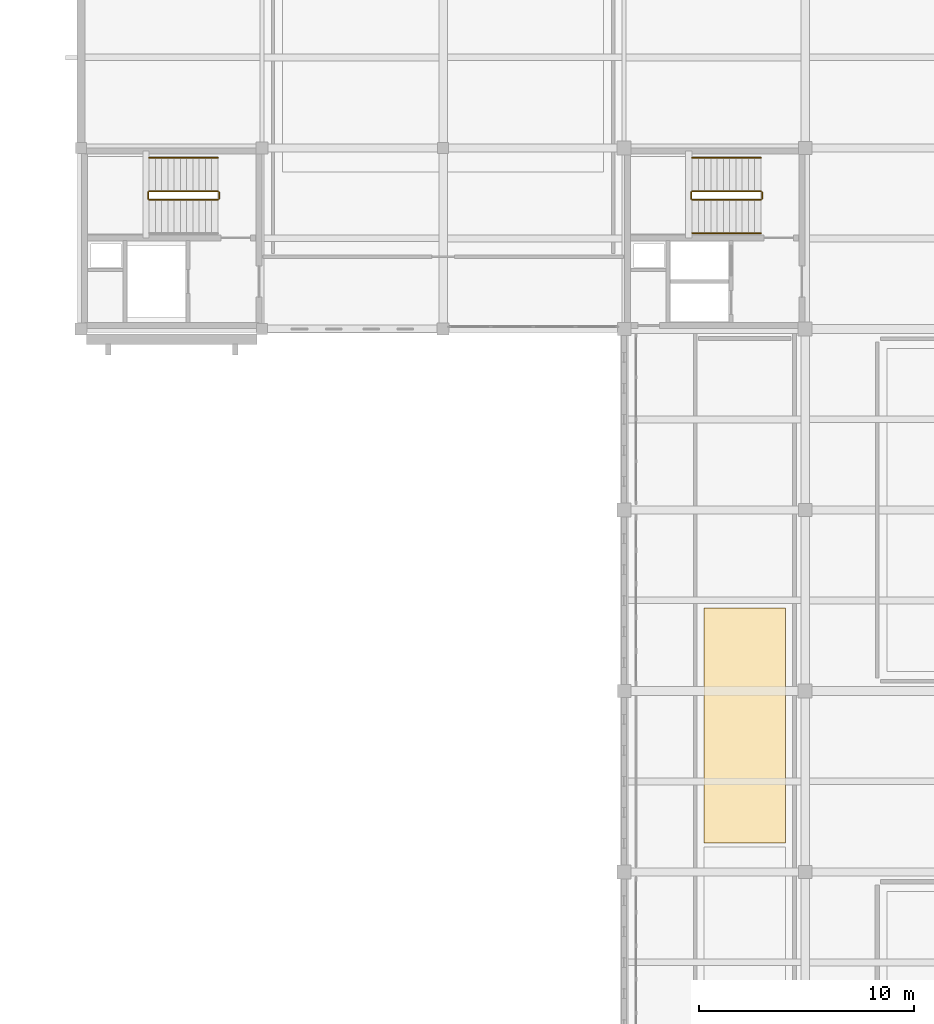
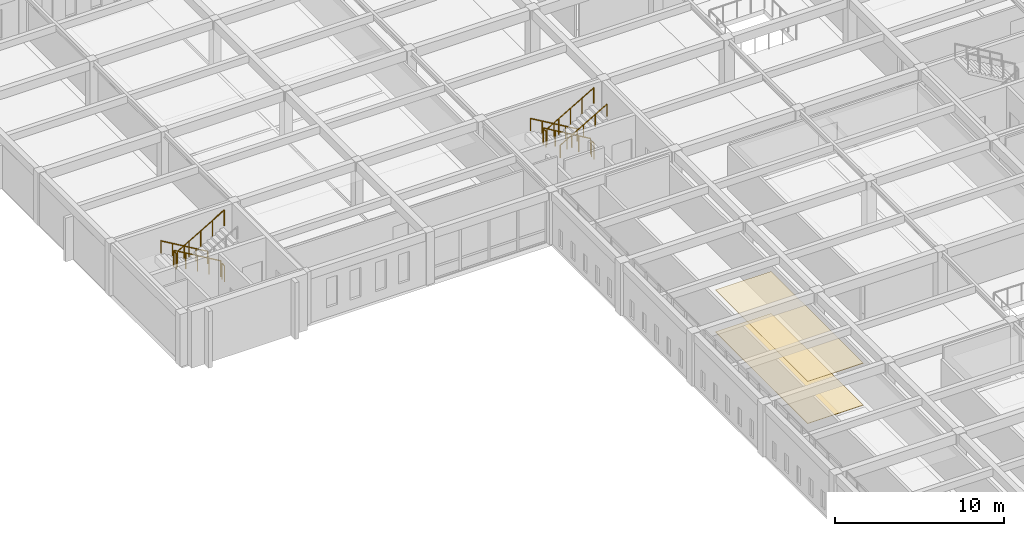
# One storey, part 45 of 47: 11 railings, 2 coverings.
"""IFC4 building model written with IfcOpenShell, lengths in metres."""

from ifc_helpers import new_model, si_unit, direction, frame, origin, origin_2d, place, context, subcontext, project, spatial, rectangle, circle, extrude, material, layer, layer_set, type_object, element, save


model = new_model("IFC4")

# Units and contexts
model_context = context("Model", 3, precision=1e-05, world=origin(), true_north=direction((0.0, 1.0)))
body_context = subcontext(model_context, "Body", "Model", "MODEL_VIEW")
ifc_project = project(units=[si_unit("LENGTHUNIT", "METRE"), si_unit("AREAUNIT", "SQUARE_METRE"), si_unit("VOLUMEUNIT", "CUBIC_METRE"), si_unit("PLANEANGLEUNIT", "RADIAN"), si_unit("MASSUNIT", "GRAM", prefix="KILO")], contexts=[model_context])

# Site, building, storey
site_placement = place(None, origin())
site = spatial("IfcSite", under=ifc_project, at=site_placement, CompositionType="ELEMENT")
building_placement = place(site_placement, origin())
building = spatial("IfcBuilding", under=site, at=building_placement, Name="Kveldsbrygga Polytechnic", CompositionType="ELEMENT")
storey_placement = place(building_placement, frame((0.0, 0.0, 13.93994140625)))
storey = spatial("IfcBuildingStorey", under=building, at=storey_placement, Name="L03", CompositionType="ELEMENT", Elevation=13.93994140625)

# Coverings
ifc_material_1 = material(Name="Acoustic mineral baffle ceiling")
ifc_layer_1 = layer(ifc_material_1, 0.030029296875)
ifc_layer_set_1 = layer_set([ifc_layer_1], Name="Acoustic mineral baffle ceiling")
covering_type_1 = type_object("IfcCoveringType", Name="COV-CEIL-AC30", PredefinedType="CEILING", material=ifc_layer_set_1)
covering_1_placement = place(storey_placement, frame((131.60009765625, 65.60009765625, 3.02001953125), z_axis=(0.0, 0.0, 1.0), x_axis=(1.0, 0.0, 0.0)))
element("IfcCovering", 1, at=covering_1_placement, inside=storey, type_object=covering_type_1, Name="Acoustic Ceiling SP-L03-COM1-N", PredefinedType="CEILING", context=body_context, shape_type="SweptSolid", body=[
    extrude(rectangle(XDim=3.800048828125, YDim=10.89990234375, at=origin_2d()), origin(), (0.0, 0.0, 1.0), 0.030029296875),
])
ifc_material_2 = material(Name="Acoustic oak timber flooring", Category="wood")
ifc_layer_2 = layer(ifc_material_2, 0.02197265625)
ifc_layer_set_2 = layer_set([ifc_layer_2], Name="Acoustic oak timber flooring")
covering_type_2 = type_object("IfcCoveringType", Name="COV-FLR-OAK22", PredefinedType="FLOORING", material=ifc_layer_set_2)
covering_2_placement = place(storey_placement, frame((131.60009765625, 65.60009765625, 0.0), z_axis=(0.0, 0.0, 1.0), x_axis=(1.0, 0.0, 0.0)))
element("IfcCovering", 2, at=covering_2_placement, inside=storey, type_object=covering_type_2, Name="Room Flooring SP-L03-COM1-N", PredefinedType="FLOORING", context=body_context, shape_type="SweptSolid", body=[
    extrude(rectangle(XDim=3.800048828125, YDim=10.89990234375, at=origin_2d()), origin(), (0.0, 0.0, 1.0), 0.02197265625),
])

# Railings
ifc_material_3 = material(Name="Steel S355", Category="steel")
railing_type_1 = type_object("IfcRailingType", Name="RL-STAIR-GRD", PredefinedType="GUARDRAIL", material=ifc_material_3)
railing_1_placement = place(storey_placement, frame((132.35009765625, 90.39990234375, 0.170166015625)))
element("IfcRailing", 3, at=railing_1_placement, inside=storey, type_object=railing_type_1, Name="L03 ST-2 stair guard 1", PredefinedType="GUARDRAIL", context=body_context, shape_type="SweptSolid", body=[
    extrude(circle(Radius=0.02392578125, at=origin_2d()), frame((0.0, 0.0, 1.1259765625), z_axis=(-0.862725780356, 0.0, 0.505672055693), x_axis=(0.0, -1.0, 0.0)), (0.0, 0.0, 1.0), 3.69775390625),
    extrude(circle(Radius=0.02099609375, at=origin_2d()), origin(), (0.0, 0.0, 1.0), 1.097900390625),
    extrude(circle(Radius=0.02099609375, at=origin_2d()), frame((-0.797607421875, 0.0, 0.467529296875)), (0.0, 0.0, 1.0), 1.097900390625),
    extrude(circle(Radius=0.02099609375, at=origin_2d()), frame((-1.59521484375, 0.0, 0.93505859375)), (0.0, 0.0, 1.0), 1.097900390625),
    extrude(circle(Radius=0.02099609375, at=origin_2d()), frame((-2.392578125, 0.0, 1.40234375)), (0.0, 0.0, 1.0), 1.097900390625),
    extrude(circle(Radius=0.02099609375, at=origin_2d()), frame((-3.190185546875, 0.0, 1.869873046875)), (0.0, 0.0, 1.0), 1.097900390625),
])
railing_2_placement = place(storey_placement, frame((129.110107421875, 90.35009765625, 2.0400390625)))
element("IfcRailing", 4, at=railing_2_placement, inside=storey, type_object=railing_type_1, Name="L03 ST-2 stair guard 2", PredefinedType="GUARDRAIL", context=body_context, shape_type="SweptSolid", body=[
    extrude(circle(Radius=0.02392578125, at=origin_2d()), frame((0.0, 0.0, 1.1259765625), z_axis=(0.0, -1.0, 0.0), x_axis=(1.0, 0.0, 0.0)), (0.0, 0.0, 1.0), 0.300048828125),
    extrude(circle(Radius=0.02099609375, at=origin_2d()), origin(), (0.0, 0.0, 1.0), 1.097900390625),
    extrude(circle(Radius=0.02099609375, at=origin_2d()), frame((0.0, -0.300048828125, 0.0)), (0.0, 0.0, 1.0), 1.097900390625),
])
railing_3_placement = place(storey_placement, frame((129.159912109375, 90.0, 2.2099609375)))
element("IfcRailing", 5, at=railing_3_placement, inside=storey, type_object=railing_type_1, Name="L03 ST-2 stair guard 3", PredefinedType="GUARDRAIL", context=body_context, shape_type="SweptSolid", body=[
    extrude(circle(Radius=0.02392578125, at=origin_2d()), frame((0.0, 0.0, 1.1259765625), z_axis=(0.862696976859, 0.0, 0.505721194057), x_axis=(0.0, 1.0, 0.0)), (0.0, 0.0, 1.0), 3.697998046875),
    extrude(circle(Radius=0.02099609375, at=origin_2d()), origin(), (0.0, 0.0, 1.0), 1.097900390625),
    extrude(circle(Radius=0.02099609375, at=origin_2d()), frame((0.797607421875, 0.0, 0.467529296875)), (0.0, 0.0, 1.0), 1.097900390625),
    extrude(circle(Radius=0.02099609375, at=origin_2d()), frame((1.59521484375, 0.0, 0.93505859375)), (0.0, 0.0, 1.0), 1.097900390625),
    extrude(circle(Radius=0.02099609375, at=origin_2d()), frame((2.392578125, 0.0, 1.402587890625)), (0.0, 0.0, 1.0), 1.097900390625),
    extrude(circle(Radius=0.02099609375, at=origin_2d()), frame((3.190185546875, 0.0, 1.8701171875)), (0.0, 0.0, 1.0), 1.097900390625),
])
railing_4_placement = place(storey_placement, frame((132.39990234375, 90.35009765625, 0.0)))
element("IfcRailing", 6, at=railing_4_placement, inside=storey, type_object=railing_type_1, Name="L03 ST-2 stair guard 4", PredefinedType="GUARDRAIL", context=body_context, shape_type="SweptSolid", body=[
    extrude(circle(Radius=0.02392578125, at=origin_2d()), frame((0.0, 0.0, 1.1259765625), z_axis=(0.0, -1.0, 0.0), x_axis=(1.0, 0.0, 0.0)), (0.0, 0.0, 1.0), 0.300048828125),
    extrude(circle(Radius=0.02099609375, at=origin_2d()), origin(), (0.0, 0.0, 1.0), 1.097900390625),
    extrude(circle(Radius=0.02099609375, at=origin_2d()), frame((0.0, -0.300048828125, 0.0)), (0.0, 0.0, 1.0), 1.097900390625),
])
railing_5_placement = place(storey_placement, frame((107.14990234375, 90.39990234375, 0.170166015625)))
element("IfcRailing", 7, at=railing_5_placement, inside=storey, type_object=railing_type_1, Name="L03 ST-5 stair guard 1", PredefinedType="GUARDRAIL", context=body_context, shape_type="SweptSolid", body=[
    extrude(circle(Radius=0.02392578125, at=origin_2d()), frame((0.0, 0.0, 1.1259765625), z_axis=(-0.86270889649, 0.0, 0.505700860111), x_axis=(0.0, -1.0, 0.0)), (0.0, 0.0, 1.0), 3.697509765625),
    extrude(circle(Radius=0.02099609375, at=origin_2d()), origin(), (0.0, 0.0, 1.0), 1.097900390625),
    extrude(circle(Radius=0.02099609375, at=origin_2d()), frame((-0.79736328125, 0.0, 0.467529296875)), (0.0, 0.0, 1.0), 1.097900390625),
    extrude(circle(Radius=0.02099609375, at=origin_2d()), frame((-1.594970703125, 0.0, 0.93505859375)), (0.0, 0.0, 1.0), 1.097900390625),
    extrude(circle(Radius=0.02099609375, at=origin_2d()), frame((-2.392578125, 0.0, 1.40234375)), (0.0, 0.0, 1.0), 1.097900390625),
    extrude(circle(Radius=0.02099609375, at=origin_2d()), frame((-3.18994140625, 0.0, 1.869873046875)), (0.0, 0.0, 1.0), 1.097900390625),
])
railing_6_placement = place(storey_placement, frame((103.909912109375, 90.35009765625, 2.0400390625)))
element("IfcRailing", 8, at=railing_6_placement, inside=storey, type_object=railing_type_1, Name="L03 ST-5 stair guard 2", PredefinedType="GUARDRAIL", context=body_context, shape_type="SweptSolid", body=[
    extrude(circle(Radius=0.02392578125, at=origin_2d()), frame((0.0, 0.0, 1.1259765625), z_axis=(0.0, -1.0, 0.0), x_axis=(1.0, 0.0, 0.0)), (0.0, 0.0, 1.0), 0.300048828125),
    extrude(circle(Radius=0.02099609375, at=origin_2d()), origin(), (0.0, 0.0, 1.0), 1.097900390625),
    extrude(circle(Radius=0.02099609375, at=origin_2d()), frame((0.0, -0.300048828125, 0.0)), (0.0, 0.0, 1.0), 1.097900390625),
])
railing_7_placement = place(storey_placement, frame((103.9599609375, 90.0, 2.2099609375)))
element("IfcRailing", 9, at=railing_7_placement, inside=storey, type_object=railing_type_1, Name="L03 ST-5 stair guard 3", PredefinedType="GUARDRAIL", context=body_context, shape_type="SweptSolid", body=[
    extrude(circle(Radius=0.02392578125, at=origin_2d()), frame((0.0, 0.0, 1.1259765625), z_axis=(0.862680090275, 0.0, 0.50574999935), x_axis=(0.0, 1.0, 0.0)), (0.0, 0.0, 1.0), 3.69775390625),
    extrude(circle(Radius=0.02099609375, at=origin_2d()), origin(), (0.0, 0.0, 1.0), 1.097900390625),
    extrude(circle(Radius=0.02099609375, at=origin_2d()), frame((0.79736328125, 0.0, 0.467529296875)), (0.0, 0.0, 1.0), 1.097900390625),
    extrude(circle(Radius=0.02099609375, at=origin_2d()), frame((1.594970703125, 0.0, 0.93505859375)), (0.0, 0.0, 1.0), 1.097900390625),
    extrude(circle(Radius=0.02099609375, at=origin_2d()), frame((2.392578125, 0.0, 1.402587890625)), (0.0, 0.0, 1.0), 1.097900390625),
    extrude(circle(Radius=0.02099609375, at=origin_2d()), frame((3.18994140625, 0.0, 1.8701171875)), (0.0, 0.0, 1.0), 1.097900390625),
])
railing_8_placement = place(storey_placement, frame((107.199951171875, 90.35009765625, 0.0)))
element("IfcRailing", 10, at=railing_8_placement, inside=storey, type_object=railing_type_1, Name="L03 ST-5 stair guard 4", PredefinedType="GUARDRAIL", context=body_context, shape_type="SweptSolid", body=[
    extrude(circle(Radius=0.02392578125, at=origin_2d()), frame((0.0, 0.0, 1.1259765625), z_axis=(0.0, -1.0, 0.0), x_axis=(1.0, 0.0, 0.0)), (0.0, 0.0, 1.0), 0.300048828125),
    extrude(circle(Radius=0.02099609375, at=origin_2d()), origin(), (0.0, 0.0, 1.0), 1.097900390625),
    extrude(circle(Radius=0.02099609375, at=origin_2d()), frame((0.0, -0.300048828125, 0.0)), (0.0, 0.0, 1.0), 1.097900390625),
])
railing_type_2 = type_object("IfcRailingType", Name="RL-STAIR-HND", PredefinedType="HANDRAIL", material=ifc_material_3)
railing_9_placement = place(storey_placement, frame((132.35009765625, 91.949951171875, 0.170166015625)))
element("IfcRailing", 11, at=railing_9_placement, inside=storey, type_object=railing_type_2, Name="L03 ST-2 stair handrail 1", PredefinedType="HANDRAIL", context=body_context, shape_type="SweptSolid", body=[
    extrude(circle(Radius=0.02392578125, at=origin_2d()), frame((0.0, 0.0, 0.8759765625), z_axis=(-0.862725780356, 0.0, 0.505672055693), x_axis=(0.0, -1.0, 0.0)), (0.0, 0.0, 1.0), 3.69775390625),
    extrude(circle(Radius=0.02099609375, at=origin_2d()), origin(), (0.0, 0.0, 1.0), 0.847900390625),
    extrude(circle(Radius=0.02099609375, at=origin_2d()), frame((-0.797607421875, 0.0, 0.467529296875)), (0.0, 0.0, 1.0), 0.847900390625),
    extrude(circle(Radius=0.02099609375, at=origin_2d()), frame((-1.59521484375, 0.0, 0.93505859375)), (0.0, 0.0, 1.0), 0.847900390625),
    extrude(circle(Radius=0.02099609375, at=origin_2d()), frame((-2.392578125, 0.0, 1.40234375)), (0.0, 0.0, 1.0), 0.847900390625),
    extrude(circle(Radius=0.02099609375, at=origin_2d()), frame((-3.190185546875, 0.0, 1.869873046875)), (0.0, 0.0, 1.0), 0.847900390625),
])
railing_10_placement = place(storey_placement, frame((129.159912109375, 88.449951171875, 2.2099609375)))
element("IfcRailing", 12, at=railing_10_placement, inside=storey, type_object=railing_type_2, Name="L03 ST-2 stair handrail 2", PredefinedType="HANDRAIL", context=body_context, shape_type="SweptSolid", body=[
    extrude(circle(Radius=0.02392578125, at=origin_2d()), frame((0.0, 0.0, 0.8759765625), z_axis=(0.862696976859, 0.0, 0.505721194057), x_axis=(0.0, 1.0, 0.0)), (0.0, 0.0, 1.0), 3.697998046875),
    extrude(circle(Radius=0.02099609375, at=origin_2d()), origin(), (0.0, 0.0, 1.0), 0.847900390625),
    extrude(circle(Radius=0.02099609375, at=origin_2d()), frame((0.797607421875, 0.0, 0.467529296875)), (0.0, 0.0, 1.0), 0.847900390625),
    extrude(circle(Radius=0.02099609375, at=origin_2d()), frame((1.59521484375, 0.0, 0.93505859375)), (0.0, 0.0, 1.0), 0.847900390625),
    extrude(circle(Radius=0.02099609375, at=origin_2d()), frame((2.392578125, 0.0, 1.402587890625)), (0.0, 0.0, 1.0), 0.847900390625),
    extrude(circle(Radius=0.02099609375, at=origin_2d()), frame((3.190185546875, 0.0, 1.8701171875)), (0.0, 0.0, 1.0), 0.847900390625),
])
railing_11_placement = place(storey_placement, frame((107.14990234375, 91.949951171875, 0.170166015625)))
element("IfcRailing", 13, at=railing_11_placement, inside=storey, type_object=railing_type_2, Name="L03 ST-5 stair handrail 1", PredefinedType="HANDRAIL", context=body_context, shape_type="SweptSolid", body=[
    extrude(circle(Radius=0.02392578125, at=origin_2d()), frame((0.0, 0.0, 0.8759765625), z_axis=(-0.86270889649, 0.0, 0.505700860111), x_axis=(0.0, -1.0, 0.0)), (0.0, 0.0, 1.0), 3.697509765625),
    extrude(circle(Radius=0.02099609375, at=origin_2d()), origin(), (0.0, 0.0, 1.0), 0.847900390625),
    extrude(circle(Radius=0.02099609375, at=origin_2d()), frame((-0.79736328125, 0.0, 0.467529296875)), (0.0, 0.0, 1.0), 0.847900390625),
    extrude(circle(Radius=0.02099609375, at=origin_2d()), frame((-1.594970703125, 0.0, 0.93505859375)), (0.0, 0.0, 1.0), 0.847900390625),
    extrude(circle(Radius=0.02099609375, at=origin_2d()), frame((-2.392578125, 0.0, 1.40234375)), (0.0, 0.0, 1.0), 0.847900390625),
    extrude(circle(Radius=0.02099609375, at=origin_2d()), frame((-3.18994140625, 0.0, 1.869873046875)), (0.0, 0.0, 1.0), 0.847900390625),
])

save(model, "model.ifc")
